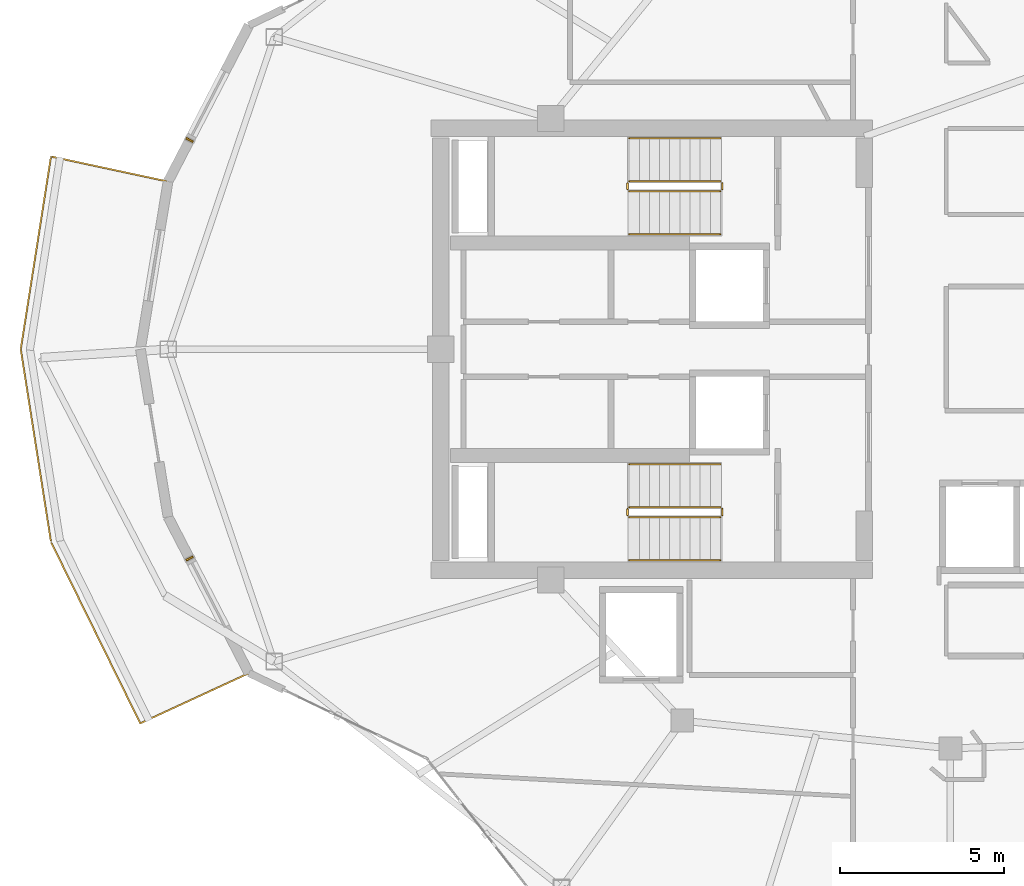
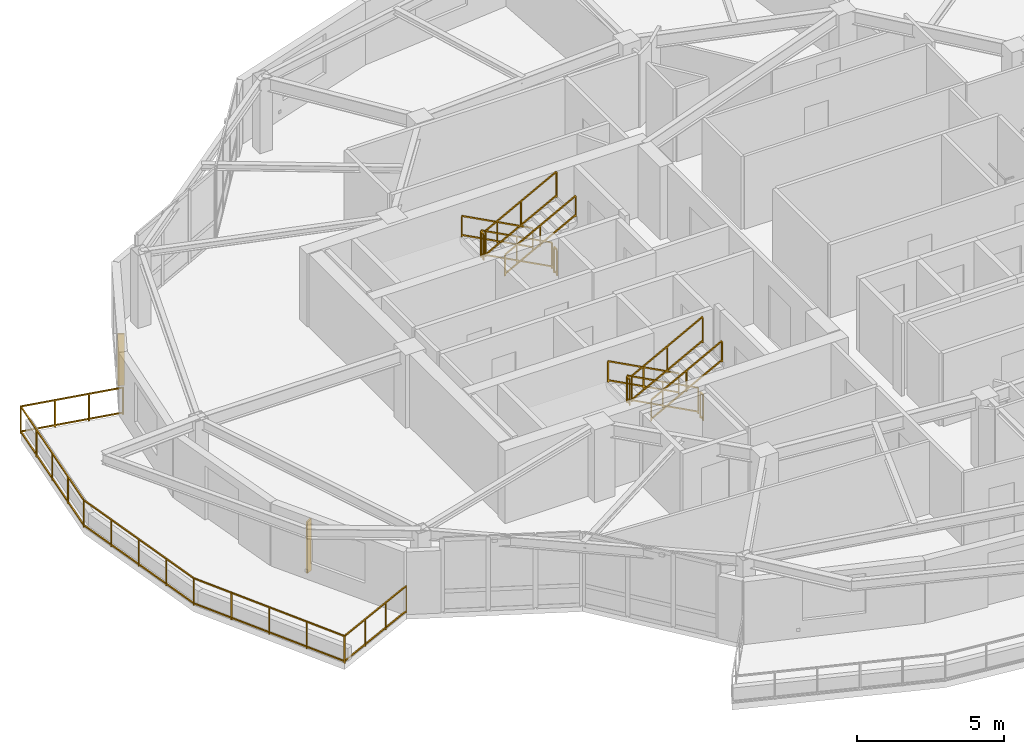
# One storey, part 17 of 19: 13 railings, 2 shading devices.
"""IFC4 building model written with IfcOpenShell, lengths in metres."""

import ifcopenshell
import ifcopenshell.guid

model = None  # the IFC model being written
_history = None  # IfcOwnerHistory: only IFC2X3 demands one
_inside = {}  # id of a spatial element -> (the spatial element, [elements in it])
_under = {}  # id of a project, library or spatial element -> (it, [spatial elements below it])
_declared = {}  # id of a project -> (the project, [libraries it declares])
_typed = {}  # id of a type object -> (the type object, [elements of that type])
_made_of = {}  # id of a material, layer set ... -> (it, [elements and type objects made of it])


def new_model(schema):
    """Start an empty IFC model of exactly this schema.

    Asked for "IFC4X3", IfcOpenShell would pick the latest addendum, in which some entities
    have other attributes; the version numbers below select the first issue.
    IFC2X3 requires an IfcOwnerHistory on every rooted entity: one is made here for all.
    """
    global model, _history
    if schema == "IFC4X3":
        model = ifcopenshell.file(schema_version=(4, 3, 0, 0))
    else:
        model = ifcopenshell.file(schema=schema)
    _inside.clear()
    _under.clear()
    _declared.clear()
    _typed.clear()
    _made_of.clear()
    _history = None
    if model.schema == "IFC2X3":
        org = make("IfcOrganization", Name="unknown")
        user = make(
            "IfcPersonAndOrganization",
            ThePerson=make("IfcPerson", FamilyName="unknown"),
            TheOrganization=org,
        )
        app = make(
            "IfcApplication",
            ApplicationDeveloper=org,
            Version="unknown",
            ApplicationFullName="unknown",
            ApplicationIdentifier="unknown",
        )
        _history = make(
            "IfcOwnerHistory",
            OwningUser=user,
            OwningApplication=app,
            ChangeAction="ADDED",
            CreationDate=0,
        )
    return model


def make(cls, **values):
    """One entity of the class cls with the attributes given. An attribute that is None is left unset."""
    return model.create_entity(
        cls, **{name: value for name, value in values.items() if value is not None}
    )


def rooted(cls, **values):
    """An entity with a GlobalId (a new one), such as an element, a storey or a relation."""
    return make(cls, GlobalId=ifcopenshell.guid.new(), OwnerHistory=_history, **values)


def si_unit(unit_type, name, prefix=None):
    """IfcSIUnit, for example si_unit("LENGTHUNIT", "METRE", prefix="MILLI")."""
    return make("IfcSIUnit", UnitType=unit_type, Prefix=prefix, Name=name)


def assignment(units):
    """IfcUnitAssignment: the units of a project."""
    return None if units is None else make("IfcUnitAssignment", Units=units)


def point(xyz):
    """IfcCartesianPoint."""
    return None if xyz is None else make("IfcCartesianPoint", Coordinates=xyz)


def direction(xyz):
    """IfcDirection."""
    return None if xyz is None else make("IfcDirection", DirectionRatios=xyz)


def frame(location, z_axis=None, x_axis=None):
    """IfcAxis2Placement3D, a coordinate frame: its origin and axes. An axis left out is left unset."""
    return make(
        "IfcAxis2Placement3D",
        Location=point(location),
        Axis=direction(z_axis),
        RefDirection=direction(x_axis),
    )


def frame_2d(location, x_axis=None):
    """IfcAxis2Placement2D, a coordinate frame in the plane: its origin and x axis."""
    return make(
        "IfcAxis2Placement2D", Location=point(location), RefDirection=direction(x_axis)
    )


def origin():
    """The frame at (0, 0, 0) with its axes left unset."""
    return frame((0.0, 0.0, 0.0))


def origin_2d():
    """The frame at (0, 0) in the plane with its x axis left unset."""
    return frame_2d((0.0, 0.0))


def place(relative_to, where):
    """IfcLocalPlacement: puts the frame where relative to a parent placement (None: the world)."""
    return make(
        "IfcLocalPlacement", PlacementRelTo=relative_to, RelativePlacement=where
    )


def context(
    kind, dimensions, precision=None, world=None, true_north=None, identifier=None
):
    """IfcGeometricRepresentationContext, for example the 3D "Model" context."""
    return make(
        "IfcGeometricRepresentationContext",
        ContextIdentifier=identifier,
        ContextType=kind,
        CoordinateSpaceDimension=dimensions,
        Precision=precision,
        WorldCoordinateSystem=world,
        TrueNorth=true_north,
    )


def subcontext(parent, identifier, kind, view, scale=None):
    """IfcGeometricRepresentationSubContext, for example "Body" below "Model"."""
    return make(
        "IfcGeometricRepresentationSubContext",
        ContextIdentifier=identifier,
        ContextType=kind,
        ParentContext=parent,
        TargetScale=scale,
        TargetView=view,
    )


def project(units=None, contexts=None):
    """IfcProject with its units and contexts."""
    return rooted(
        "IfcProject",
        Name="project",
        RepresentationContexts=contexts,
        UnitsInContext=assignment(units),
    )


def spatial(cls, under=None, at=None, **own):
    """A site, building, storey or space (cls), placed at a placement, below another one or the project."""
    s = rooted(cls, ObjectPlacement=at, **own)
    if under is not None:
        _under.setdefault(under.id(), (under, []))[1].append(s)
    return s


def profile(cls, at=None, kind="AREA", **sizes):
    """A parametric profile (cls). Its sizes go by their IFC names, for example OverallWidth=200.0."""
    return make(cls, ProfileType=kind, Position=at, **sizes)


def rectangle(**sizes):
    """IfcRectangleProfileDef."""
    return profile("IfcRectangleProfileDef", **sizes)


def extrude(swept, where, along, depth):
    """IfcExtrudedAreaSolid: the profile swept, set in the frame where, extruded along a direction by depth."""
    return make(
        "IfcExtrudedAreaSolid",
        SweptArea=swept,
        Position=where,
        ExtrudedDirection=direction(along),
        Depth=depth,
    )


def shape(context_of_items, identifier, shape_type, items):
    """IfcShapeRepresentation: the items that make up one representation, for example the "Body"."""
    return make(
        "IfcShapeRepresentation",
        ContextOfItems=context_of_items,
        RepresentationIdentifier=identifier,
        RepresentationType=shape_type,
        Items=items,
    )


def material(Name=None, Category=None):
    """IfcMaterial."""
    return make("IfcMaterial", Name=Name, Category=Category)


def made_of(thing, what):
    """Note that an element or type object is made of a material, layer set ...; save() writes the relation."""
    if what is not None:
        _made_of.setdefault(what.id(), (what, []))[1].append(thing)
    return thing


def type_object(cls, material=None, **own):
    """A type object (cls), such as IfcWallType, which elements share."""
    return made_of(rooted(cls, **own), material)


def element(
    cls,
    number,
    at=None,
    inside=None,
    cuts=None,
    type_object=None,
    material=None,
    context=None,
    identifier="Body",
    shape_type=None,
    held_by="IfcProductDefinitionShape",
    body=None,
    shapes=None,
    **own,
):
    """One element of the class cls, such as IfcWall. Its Tag is "e" and its number.

    at: its placement. inside: the storey or other place that contains it. cuts: it is an
    opening in that element (IfcRelVoidsElement). A single representation is given by context,
    identifier, shape_type and body (its items); several are given by shapes. held_by: the class
    of the entity that holds the representations. save() writes the other relations.
    """
    e = rooted(cls, Tag="e%d" % number, ObjectPlacement=at, **own)
    if body is not None:
        shapes = [shape(context, identifier, shape_type, body)]
    if shapes is not None:
        e.Representation = make(held_by, Representations=shapes)
    if inside is not None:
        _inside.setdefault(inside.id(), (inside, []))[1].append(e)
    if cuts is not None:
        rooted(
            "IfcRelVoidsElement", RelatingBuildingElement=cuts, RelatedOpeningElement=e
        )
    if type_object is not None:
        _typed.setdefault(type_object.id(), (type_object, []))[1].append(e)
    return made_of(e, material)


def aggregate(whole, parts):
    """IfcRelAggregates: a whole, such as a stair, and the parts it consists of."""
    return rooted("IfcRelAggregates", RelatingObject=whole, RelatedObjects=parts)


def save(model, path):
    """Write the relations noted so far, then the file.

    IfcRelAggregates (storeys below a building ...), IfcRelContainedInSpatialStructure (elements
    in a storey), IfcRelDefinesByType, IfcRelAssociatesMaterial and IfcRelDeclares: one each for
    every whole, place, type object, material and project.
    """
    for whole, parts in _under.values():
        aggregate(whole, parts)
    for where, things in _inside.values():
        rooted(
            "IfcRelContainedInSpatialStructure",
            RelatedElements=things,
            RelatingStructure=where,
        )
    for kind, things in _typed.values():
        rooted("IfcRelDefinesByType", RelatedObjects=things, RelatingType=kind)
    for what, things in _made_of.values():
        rooted("IfcRelAssociatesMaterial", RelatedObjects=things, RelatingMaterial=what)
    for by, libraries in _declared.values():
        rooted("IfcRelDeclares", RelatingContext=by, RelatedDefinitions=libraries)
    model.write(path)


model = new_model("IFC4")

# Units and contexts
model_context = context("Model", 3, precision=1e-05, world=origin(), true_north=direction((0.0, 1.0)))
body_context = subcontext(model_context, "Body", "Model", "MODEL_VIEW")
ifc_project = project(units=[si_unit("LENGTHUNIT", "METRE"), si_unit("AREAUNIT", "SQUARE_METRE"), si_unit("VOLUMEUNIT", "CUBIC_METRE"), si_unit("PLANEANGLEUNIT", "RADIAN"), si_unit("MASSUNIT", "GRAM", prefix="KILO")], contexts=[model_context])

# Site, building, storey
site_placement = place(None, origin())
site = spatial("IfcSite", under=ifc_project, at=site_placement, CompositionType="ELEMENT")
building_placement = place(site_placement, origin())
building = spatial("IfcBuilding", under=site, at=building_placement, Name="Kolvaren Gate Tower and Convention Centre", CompositionType="ELEMENT")
storey_placement = place(building_placement, frame((0.0, 0.0, 212.89990234375)))
storey = spatial("IfcBuildingStorey", under=building, at=storey_placement, Name="L56", CompositionType="ELEMENT", Elevation=212.89990234375)

# Railings
ifc_material_1 = material(Name="Brushed Stainless Steel Grade 316L", Category="steel")
railing_type_1 = type_object("IfcRailingType", Name="ARCH-RL-GUARD-1150", PredefinedType="GUARDRAIL", material=ifc_material_1)
railing_1_placement = place(storey_placement, frame((23.10009765625, 32.1298828125, 0.1650390625)))
element("IfcRailing", 1, at=railing_1_placement, inside=storey, type_object=railing_type_1, Name="L56 ST-T1 stair guard 1", PredefinedType="GUARDRAIL", context=body_context, shape_type="SweptSolid", body=[
    extrude(rectangle(XDim=0.048095703125, YDim=0.048095703125, at=origin_2d()), frame((0.0, 0.0, 1.076171875), z_axis=(-0.882735390775, 0.0, 0.469870439454), x_axis=(0.0, -1.0, 0.0)), (0.0, 0.0, 1.0), 3.16064453125),
    extrude(rectangle(XDim=0.048095703125, YDim=0.048095703125, at=origin_2d()), frame((0.0, 0.0, 0.083984375), z_axis=(-0.882735390775, 0.0, 0.469870439454), x_axis=(0.0, -1.0, 0.0)), (0.0, 0.0, 1.0), 3.16064453125),
    extrude(rectangle(XDim=0.0419921875, YDim=0.0419921875, at=origin_2d()), origin(), (0.0, 0.0, 1.0), 1.050048828125),
    extrude(rectangle(XDim=0.0419921875, YDim=0.0419921875, at=origin_2d()), frame((-2.7900390625, 0.0, 1.485107421875)), (0.0, 0.0, 1.0), 1.050048828125),
    extrude(rectangle(XDim=0.0419921875, YDim=0.0419921875, at=origin_2d()), frame((-1.39501953125, 0.0, 0.74267578125)), (0.0, 0.0, 1.0), 1.050048828125),
])
railing_2_placement = place(storey_placement, frame((20.260009765625, 32.080078125, 1.650146484375)))
element("IfcRailing", 2, at=railing_2_placement, inside=storey, type_object=railing_type_1, Name="L56 ST-T1 stair guard 2", PredefinedType="GUARDRAIL", context=body_context, shape_type="SweptSolid", body=[
    extrude(rectangle(XDim=0.048095703125, YDim=0.048095703125, at=origin_2d()), frame((0.0, 0.0, 1.076171875), z_axis=(0.0, -1.0, 0.0), x_axis=(1.0, 0.0, 0.0)), (0.0, 0.0, 1.0), 0.2001953125),
    extrude(rectangle(XDim=0.048095703125, YDim=0.048095703125, at=origin_2d()), frame((0.0, 0.0, 0.083984375), z_axis=(0.0, -1.0, 0.0), x_axis=(1.0, 0.0, 0.0)), (0.0, 0.0, 1.0), 0.2001953125),
    extrude(rectangle(XDim=0.0419921875, YDim=0.0419921875, at=origin_2d()), origin(), (0.0, 0.0, 1.0), 1.050048828125),
    extrude(rectangle(XDim=0.0419921875, YDim=0.0419921875, at=origin_2d()), frame((0.0, -0.2001953125, 0.0)), (0.0, 0.0, 1.0), 1.050048828125),
])
railing_3_placement = place(storey_placement, frame((20.31005859375, 31.830078125, 1.815185546875)))
element("IfcRailing", 3, at=railing_3_placement, inside=storey, type_object=railing_type_1, Name="L56 ST-T1 stair guard 3", PredefinedType="GUARDRAIL", context=body_context, shape_type="SweptSolid", body=[
    extrude(rectangle(XDim=0.048095703125, YDim=0.048095703125, at=origin_2d()), frame((0.0, 0.0, 1.076171875), z_axis=(0.882767428149, 0.0, 0.469810246588), x_axis=(0.0, 1.0, 0.0)), (0.0, 0.0, 1.0), 3.16064453125),
    extrude(rectangle(XDim=0.048095703125, YDim=0.048095703125, at=origin_2d()), frame((0.0, 0.0, 0.083984375), z_axis=(0.882767428149, 0.0, 0.469810246588), x_axis=(0.0, 1.0, 0.0)), (0.0, 0.0, 1.0), 3.16064453125),
    extrude(rectangle(XDim=0.0419921875, YDim=0.0419921875, at=origin_2d()), origin(), (0.0, 0.0, 1.0), 1.050048828125),
    extrude(rectangle(XDim=0.0419921875, YDim=0.0419921875, at=origin_2d()), frame((2.7900390625, 0.0, 1.48486328125)), (0.0, 0.0, 1.0), 1.050048828125),
    extrude(rectangle(XDim=0.0419921875, YDim=0.0419921875, at=origin_2d()), frame((1.39501953125, 0.0, 0.742431640625)), (0.0, 0.0, 1.0), 1.050048828125),
])
railing_4_placement = place(storey_placement, frame((23.14990234375, 32.080078125, 0.0)))
element("IfcRailing", 4, at=railing_4_placement, inside=storey, type_object=railing_type_1, Name="L56 ST-T1 stair guard 4", PredefinedType="GUARDRAIL", context=body_context, shape_type="SweptSolid", body=[
    extrude(rectangle(XDim=0.048095703125, YDim=0.048095703125, at=origin_2d()), frame((0.0, 0.0, 1.076171875), z_axis=(0.0, -1.0, 0.0), x_axis=(1.0, 0.0, 0.0)), (0.0, 0.0, 1.0), 0.2001953125),
    extrude(rectangle(XDim=0.048095703125, YDim=0.048095703125, at=origin_2d()), frame((0.0, 0.0, 0.083984375), z_axis=(0.0, -1.0, 0.0), x_axis=(1.0, 0.0, 0.0)), (0.0, 0.0, 1.0), 0.2001953125),
    extrude(rectangle(XDim=0.0419921875, YDim=0.0419921875, at=origin_2d()), origin(), (0.0, 0.0, 1.0), 1.050048828125),
    extrude(rectangle(XDim=0.0419921875, YDim=0.0419921875, at=origin_2d()), frame((0.0, -0.2001953125, 0.0)), (0.0, 0.0, 1.0), 1.050048828125),
])
railing_5_placement = place(storey_placement, frame((23.10009765625, 22.169921875, 0.1650390625)))
element("IfcRailing", 5, at=railing_5_placement, inside=storey, type_object=railing_type_1, Name="L56 ST-T2 stair guard 1", PredefinedType="GUARDRAIL", context=body_context, shape_type="SweptSolid", body=[
    extrude(rectangle(XDim=0.048095703125, YDim=0.048095703125, at=origin_2d()), frame((0.0, 0.0, 1.076171875), z_axis=(-0.882735390775, 0.0, 0.469870439454), x_axis=(0.0, -1.0, 0.0)), (0.0, 0.0, 1.0), 3.16064453125),
    extrude(rectangle(XDim=0.048095703125, YDim=0.048095703125, at=origin_2d()), frame((0.0, 0.0, 0.083984375), z_axis=(-0.882735390775, 0.0, 0.469870439454), x_axis=(0.0, -1.0, 0.0)), (0.0, 0.0, 1.0), 3.16064453125),
    extrude(rectangle(XDim=0.0419921875, YDim=0.0419921875, at=origin_2d()), origin(), (0.0, 0.0, 1.0), 1.050048828125),
    extrude(rectangle(XDim=0.0419921875, YDim=0.0419921875, at=origin_2d()), frame((-2.7900390625, 0.0, 1.485107421875)), (0.0, 0.0, 1.0), 1.050048828125),
    extrude(rectangle(XDim=0.0419921875, YDim=0.0419921875, at=origin_2d()), frame((-1.39501953125, 0.0, 0.74267578125)), (0.0, 0.0, 1.0), 1.050048828125),
])
railing_6_placement = place(storey_placement, frame((20.260009765625, 22.1201171875, 1.650146484375)))
element("IfcRailing", 6, at=railing_6_placement, inside=storey, type_object=railing_type_1, Name="L56 ST-T2 stair guard 2", PredefinedType="GUARDRAIL", context=body_context, shape_type="SweptSolid", body=[
    extrude(rectangle(XDim=0.048095703125, YDim=0.048095703125, at=origin_2d()), frame((0.0, 0.0, 1.076171875), z_axis=(0.0, -1.0, 0.0), x_axis=(1.0, 0.0, 0.0)), (0.0, 0.0, 1.0), 0.2001953125),
    extrude(rectangle(XDim=0.048095703125, YDim=0.048095703125, at=origin_2d()), frame((0.0, 0.0, 0.083984375), z_axis=(0.0, -1.0, 0.0), x_axis=(1.0, 0.0, 0.0)), (0.0, 0.0, 1.0), 0.2001953125),
    extrude(rectangle(XDim=0.0419921875, YDim=0.0419921875, at=origin_2d()), origin(), (0.0, 0.0, 1.0), 1.050048828125),
    extrude(rectangle(XDim=0.0419921875, YDim=0.0419921875, at=origin_2d()), frame((0.0, -0.2001953125, 0.0)), (0.0, 0.0, 1.0), 1.050048828125),
])
railing_7_placement = place(storey_placement, frame((20.31005859375, 21.8701171875, 1.815185546875)))
element("IfcRailing", 7, at=railing_7_placement, inside=storey, type_object=railing_type_1, Name="L56 ST-T2 stair guard 3", PredefinedType="GUARDRAIL", context=body_context, shape_type="SweptSolid", body=[
    extrude(rectangle(XDim=0.048095703125, YDim=0.048095703125, at=origin_2d()), frame((0.0, 0.0, 1.076171875), z_axis=(0.882767428149, 0.0, 0.469810246588), x_axis=(0.0, 1.0, 0.0)), (0.0, 0.0, 1.0), 3.16064453125),
    extrude(rectangle(XDim=0.048095703125, YDim=0.048095703125, at=origin_2d()), frame((0.0, 0.0, 0.083984375), z_axis=(0.882767428149, 0.0, 0.469810246588), x_axis=(0.0, 1.0, 0.0)), (0.0, 0.0, 1.0), 3.16064453125),
    extrude(rectangle(XDim=0.0419921875, YDim=0.0419921875, at=origin_2d()), origin(), (0.0, 0.0, 1.0), 1.050048828125),
    extrude(rectangle(XDim=0.0419921875, YDim=0.0419921875, at=origin_2d()), frame((2.7900390625, 0.0, 1.48486328125)), (0.0, 0.0, 1.0), 1.050048828125),
    extrude(rectangle(XDim=0.0419921875, YDim=0.0419921875, at=origin_2d()), frame((1.39501953125, 0.0, 0.742431640625)), (0.0, 0.0, 1.0), 1.050048828125),
])
railing_8_placement = place(storey_placement, frame((23.14990234375, 22.1201171875, 0.0)))
element("IfcRailing", 8, at=railing_8_placement, inside=storey, type_object=railing_type_1, Name="L56 ST-T2 stair guard 4", PredefinedType="GUARDRAIL", context=body_context, shape_type="SweptSolid", body=[
    extrude(rectangle(XDim=0.048095703125, YDim=0.048095703125, at=origin_2d()), frame((0.0, 0.0, 1.076171875), z_axis=(0.0, -1.0, 0.0), x_axis=(1.0, 0.0, 0.0)), (0.0, 0.0, 1.0), 0.2001953125),
    extrude(rectangle(XDim=0.048095703125, YDim=0.048095703125, at=origin_2d()), frame((0.0, 0.0, 0.083984375), z_axis=(0.0, -1.0, 0.0), x_axis=(1.0, 0.0, 0.0)), (0.0, 0.0, 1.0), 0.2001953125),
    extrude(rectangle(XDim=0.0419921875, YDim=0.0419921875, at=origin_2d()), origin(), (0.0, 0.0, 1.0), 1.050048828125),
    extrude(rectangle(XDim=0.0419921875, YDim=0.0419921875, at=origin_2d()), frame((0.0, -0.2001953125, 0.0)), (0.0, 0.0, 1.0), 1.050048828125),
])
railing_9_placement = place(storey_placement, frame((6.21826171875, 32.12451171875, 0.0)))
element("IfcRailing", 9, at=railing_9_placement, inside=storey, type_object=railing_type_1, Name="Tower L56 Terrace Perimeter Guardrail GR-2", PredefinedType="GUARDRAIL", context=body_context, shape_type="SweptSolid", body=[
    extrude(rectangle(XDim=0.048095703125, YDim=0.048095703125, at=origin_2d()), frame((-0.02734375, 0.005859375, 1.1259765625), z_axis=(-0.977788745232, 0.209592866525, 0.0), x_axis=(-0.209592866525, -0.977788745232, 0.0)), (0.0, 0.0, 1.0), 3.603759765625),
    extrude(rectangle(XDim=0.048095703125, YDim=0.048095703125, at=origin_2d()), frame((-0.02734375, 0.005859375, 0.083984375), z_axis=(-0.977788745232, 0.209592866525, 0.0), x_axis=(-0.209592866525, -0.977788745232, 0.0)), (0.0, 0.0, 1.0), 3.603759765625),
    extrude(rectangle(XDim=0.048095703125, YDim=0.048095703125, at=origin_2d()), frame((-3.5830078125, 0.739501953125, 1.1259765625), z_axis=(-0.155031225865, -0.987909570258, 0.0), x_axis=(0.987909570258, -0.155031225865, 0.0)), (0.0, 0.0, 1.0), 5.90771484375),
    extrude(rectangle(XDim=0.048095703125, YDim=0.048095703125, at=origin_2d()), frame((-3.5830078125, 0.739501953125, 0.083984375), z_axis=(-0.155031225865, -0.987909570258, 0.0), x_axis=(0.987909570258, -0.155031225865, 0.0)), (0.0, 0.0, 1.0), 5.90771484375),
    extrude(rectangle(XDim=0.048095703125, YDim=0.048095703125, at=origin_2d()), frame((-4.498779296875, -5.152099609375, 1.1259765625), z_axis=(0.155031225865, -0.987909570258, 0.0), x_axis=(0.987909570258, 0.155031225865, 0.0)), (0.0, 0.0, 1.0), 5.90771484375),
    extrude(rectangle(XDim=0.048095703125, YDim=0.048095703125, at=origin_2d()), frame((-4.498779296875, -5.152099609375, 0.083984375), z_axis=(0.155031225865, -0.987909570258, 0.0), x_axis=(0.987909570258, 0.155031225865, 0.0)), (0.0, 0.0, 1.0), 5.90771484375),
    extrude(rectangle(XDim=0.048095703125, YDim=0.048095703125, at=origin_2d()), frame((-3.566162109375, -11.041259765625, 1.1259765625), z_axis=(0.441625304244, -0.897199582396, 0.0), x_axis=(0.897199582396, 0.441625304244, 0.0)), (0.0, 0.0, 1.0), 6.122314453125),
    extrude(rectangle(XDim=0.048095703125, YDim=0.048095703125, at=origin_2d()), frame((-3.566162109375, -11.041259765625, 0.083984375), z_axis=(0.441625304244, -0.897199582396, 0.0), x_axis=(0.897199582396, 0.441625304244, 0.0)), (0.0, 0.0, 1.0), 6.122314453125),
    extrude(rectangle(XDim=0.048095703125, YDim=0.048095703125, at=origin_2d()), frame((-0.82470703125, -16.547607421875, 1.1259765625), z_axis=(0.907820723829, 0.419358478377, 0.0), x_axis=(-0.419358478377, 0.907820723829, 0.0)), (0.0, 0.0, 1.0), 3.60400390625),
    extrude(rectangle(XDim=0.048095703125, YDim=0.048095703125, at=origin_2d()), frame((-0.82470703125, -16.547607421875, 0.083984375), z_axis=(0.907820723829, 0.419358478377, 0.0), x_axis=(-0.419358478377, 0.907820723829, 0.0)), (0.0, 0.0, 1.0), 3.60400390625),
    extrude(rectangle(XDim=0.0419921875, YDim=0.0419921875, at=origin_2d()), origin(), (0.0, 0.0, 1.0), 1.14990234375),
    extrude(rectangle(XDim=0.0419921875, YDim=0.0419921875, at=origin_2d()), frame((-3.57861328125, 0.76708984375, 0.0)), (0.0, 0.0, 1.0), 1.14990234375),
    extrude(rectangle(XDim=0.0419921875, YDim=0.0419921875, at=origin_2d()), frame((-1.19287109375, 0.255615234375, 0.0)), (0.0, 0.0, 1.0), 1.099853515625),
    extrude(rectangle(XDim=0.0419921875, YDim=0.0419921875, at=origin_2d()), frame((-2.3857421875, 0.511474609375, 0.0)), (0.0, 0.0, 1.0), 1.099853515625),
    extrude(rectangle(XDim=0.0419921875, YDim=0.0419921875, at=origin_2d()), frame((-4.503173828125, -5.12451171875, 0.0)), (0.0, 0.0, 1.0), 1.14990234375),
    extrude(rectangle(XDim=0.0419921875, YDim=0.0419921875, at=origin_2d()), frame((-3.809814453125, -0.705810546875, 0.0)), (0.0, 0.0, 1.0), 1.099853515625),
    extrude(rectangle(XDim=0.0419921875, YDim=0.0419921875, at=origin_2d()), frame((-4.041015625, -2.1787109375, 0.0)), (0.0, 0.0, 1.0), 1.099853515625),
    extrude(rectangle(XDim=0.0419921875, YDim=0.0419921875, at=origin_2d()), frame((-4.27197265625, -3.651611328125, 0.0)), (0.0, 0.0, 1.0), 1.099853515625),
    extrude(rectangle(XDim=0.0419921875, YDim=0.0419921875, at=origin_2d()), frame((-3.57861328125, -11.01611328125, 0.0)), (0.0, 0.0, 1.0), 1.14990234375),
    extrude(rectangle(XDim=0.0419921875, YDim=0.0419921875, at=origin_2d()), frame((-4.27197265625, -6.597412109375, 0.0)), (0.0, 0.0, 1.0), 1.099853515625),
    extrude(rectangle(XDim=0.0419921875, YDim=0.0419921875, at=origin_2d()), frame((-4.041015625, -8.0703125, 0.0)), (0.0, 0.0, 1.0), 1.099853515625),
    extrude(rectangle(XDim=0.0419921875, YDim=0.0419921875, at=origin_2d()), frame((-3.809814453125, -9.543212890625, 0.0)), (0.0, 0.0, 1.0), 1.099853515625),
    extrude(rectangle(XDim=0.0419921875, YDim=0.0419921875, at=origin_2d()), frame((-0.85009765625, -16.559326171875, 0.0)), (0.0, 0.0, 1.0), 1.14990234375),
    extrude(rectangle(XDim=0.0419921875, YDim=0.0419921875, at=origin_2d()), frame((-2.896484375, -12.40185546875, 0.0)), (0.0, 0.0, 1.0), 1.099853515625),
    extrude(rectangle(XDim=0.0419921875, YDim=0.0419921875, at=origin_2d()), frame((-2.21435546875, -13.78759765625, 0.0)), (0.0, 0.0, 1.0), 1.099853515625),
    extrude(rectangle(XDim=0.0419921875, YDim=0.0419921875, at=origin_2d()), frame((-1.5322265625, -15.173583984375, 0.0)), (0.0, 0.0, 1.0), 1.099853515625),
    extrude(rectangle(XDim=0.0419921875, YDim=0.0419921875, at=origin_2d()), frame((2.47265625, -15.0244140625, 0.0)), (0.0, 0.0, 1.0), 1.14990234375),
    extrude(rectangle(XDim=0.0419921875, YDim=0.0419921875, at=origin_2d()), frame((0.257568359375, -16.047607421875, 0.0)), (0.0, 0.0, 1.0), 1.099853515625),
    extrude(rectangle(XDim=0.0419921875, YDim=0.0419921875, at=origin_2d()), frame((1.364990234375, -15.5361328125, 0.0)), (0.0, 0.0, 1.0), 1.099853515625),
])
railing_type_2 = type_object("IfcRailingType", Name="ARCH-RL-HANDRAIL-920", PredefinedType="HANDRAIL", material=ifc_material_1)
railing_10_placement = place(storey_placement, frame((23.10009765625, 33.449951171875, 0.1650390625)))
element("IfcRailing", 10, at=railing_10_placement, inside=storey, type_object=railing_type_2, Name="L56 ST-T1 stair handrail 1", PredefinedType="HANDRAIL", context=body_context, shape_type="SweptSolid", body=[
    extrude(rectangle(XDim=0.048095703125, YDim=0.048095703125, at=origin_2d()), frame((0.0, 0.0, 0.8759765625), z_axis=(-0.882735390775, 0.0, 0.469870439454), x_axis=(0.0, -1.0, 0.0)), (0.0, 0.0, 1.0), 3.16064453125),
    extrude(rectangle(XDim=0.048095703125, YDim=0.048095703125, at=origin_2d()), frame((0.0, 0.0, 0.083984375), z_axis=(-0.882735390775, 0.0, 0.469870439454), x_axis=(0.0, -1.0, 0.0)), (0.0, 0.0, 1.0), 3.16064453125),
    extrude(rectangle(XDim=0.0419921875, YDim=0.0419921875, at=origin_2d()), origin(), (0.0, 0.0, 1.0), 0.849853515625),
    extrude(rectangle(XDim=0.0419921875, YDim=0.0419921875, at=origin_2d()), frame((-2.7900390625, 0.0, 1.485107421875)), (0.0, 0.0, 1.0), 0.849853515625),
    extrude(rectangle(XDim=0.0419921875, YDim=0.0419921875, at=origin_2d()), frame((-1.39501953125, 0.0, 0.74267578125)), (0.0, 0.0, 1.0), 0.849853515625),
])
railing_11_placement = place(storey_placement, frame((20.31005859375, 30.510009765625, 1.815185546875)))
element("IfcRailing", 11, at=railing_11_placement, inside=storey, type_object=railing_type_2, Name="L56 ST-T1 stair handrail 2", PredefinedType="HANDRAIL", context=body_context, shape_type="SweptSolid", body=[
    extrude(rectangle(XDim=0.048095703125, YDim=0.048095703125, at=origin_2d()), frame((0.0, 0.0, 0.8759765625), z_axis=(0.882767428149, 0.0, 0.469810246588), x_axis=(0.0, 1.0, 0.0)), (0.0, 0.0, 1.0), 3.16064453125),
    extrude(rectangle(XDim=0.048095703125, YDim=0.048095703125, at=origin_2d()), frame((0.0, 0.0, 0.083984375), z_axis=(0.882767428149, 0.0, 0.469810246588), x_axis=(0.0, 1.0, 0.0)), (0.0, 0.0, 1.0), 3.16064453125),
    extrude(rectangle(XDim=0.0419921875, YDim=0.0419921875, at=origin_2d()), origin(), (0.0, 0.0, 1.0), 0.849853515625),
    extrude(rectangle(XDim=0.0419921875, YDim=0.0419921875, at=origin_2d()), frame((2.7900390625, 0.0, 1.48486328125)), (0.0, 0.0, 1.0), 0.849853515625),
    extrude(rectangle(XDim=0.0419921875, YDim=0.0419921875, at=origin_2d()), frame((1.39501953125, 0.0, 0.742431640625)), (0.0, 0.0, 1.0), 0.849853515625),
])
railing_12_placement = place(storey_placement, frame((23.10009765625, 23.489990234375, 0.1650390625)))
element("IfcRailing", 12, at=railing_12_placement, inside=storey, type_object=railing_type_2, Name="L56 ST-T2 stair handrail 1", PredefinedType="HANDRAIL", context=body_context, shape_type="SweptSolid", body=[
    extrude(rectangle(XDim=0.048095703125, YDim=0.048095703125, at=origin_2d()), frame((0.0, 0.0, 0.8759765625), z_axis=(-0.882735390775, 0.0, 0.469870439454), x_axis=(0.0, -1.0, 0.0)), (0.0, 0.0, 1.0), 3.16064453125),
    extrude(rectangle(XDim=0.048095703125, YDim=0.048095703125, at=origin_2d()), frame((0.0, 0.0, 0.083984375), z_axis=(-0.882735390775, 0.0, 0.469870439454), x_axis=(0.0, -1.0, 0.0)), (0.0, 0.0, 1.0), 3.16064453125),
    extrude(rectangle(XDim=0.0419921875, YDim=0.0419921875, at=origin_2d()), origin(), (0.0, 0.0, 1.0), 0.849853515625),
    extrude(rectangle(XDim=0.0419921875, YDim=0.0419921875, at=origin_2d()), frame((-2.7900390625, 0.0, 1.485107421875)), (0.0, 0.0, 1.0), 0.849853515625),
    extrude(rectangle(XDim=0.0419921875, YDim=0.0419921875, at=origin_2d()), frame((-1.39501953125, 0.0, 0.74267578125)), (0.0, 0.0, 1.0), 0.849853515625),
])
railing_13_placement = place(storey_placement, frame((20.31005859375, 20.550048828125, 1.815185546875)))
element("IfcRailing", 13, at=railing_13_placement, inside=storey, type_object=railing_type_2, Name="L56 ST-T2 stair handrail 2", PredefinedType="HANDRAIL", context=body_context, shape_type="SweptSolid", body=[
    extrude(rectangle(XDim=0.048095703125, YDim=0.048095703125, at=origin_2d()), frame((0.0, 0.0, 0.8759765625), z_axis=(0.882767428149, 0.0, 0.469810246588), x_axis=(0.0, 1.0, 0.0)), (0.0, 0.0, 1.0), 3.16064453125),
    extrude(rectangle(XDim=0.048095703125, YDim=0.048095703125, at=origin_2d()), frame((0.0, 0.0, 0.083984375), z_axis=(0.882767428149, 0.0, 0.469810246588), x_axis=(0.0, 1.0, 0.0)), (0.0, 0.0, 1.0), 3.16064453125),
    extrude(rectangle(XDim=0.0419921875, YDim=0.0419921875, at=origin_2d()), origin(), (0.0, 0.0, 1.0), 0.849853515625),
    extrude(rectangle(XDim=0.0419921875, YDim=0.0419921875, at=origin_2d()), frame((2.7900390625, 0.0, 1.48486328125)), (0.0, 0.0, 1.0), 0.849853515625),
    extrude(rectangle(XDim=0.0419921875, YDim=0.0419921875, at=origin_2d()), frame((1.39501953125, 0.0, 0.742431640625)), (0.0, 0.0, 1.0), 0.849853515625),
])

# Shading devices
ifc_material_2 = material(Name="Kiln-Fired Bogota Terracotta Ceramic Louvre Profile", Category="masonry")
shading_device_type = type_object("IfcShadingDeviceType", Name="ARCH-SHD-FIN-180", PredefinedType="JALOUSIE", material=ifc_material_2)
for number, where, z_axis, x_axis, name in (
    (14, (6.87548828125, 33.3935546875, 0.22021484375), (0.0, 0.0, 1.0), (0.459799959359, 0.888022520758, 0.0), "Ceramic Vertical Brise-Soleil Fin FN-L56-10"),
    (15, (6.87548828125, 20.6064453125, 0.22021484375), (0.0, 0.0, 1.0), (0.459799959359, -0.888022520758, 0.0), "Ceramic Vertical Brise-Soleil Fin FN-L56-13"),
):
    element("IfcShadingDevice", number, at=place(storey_placement, frame(where, z_axis=z_axis, x_axis=x_axis)), inside=storey, type_object=shading_device_type, Name=name, PredefinedType="JALOUSIE", context=body_context, shape_type="SweptSolid", body=[
        extrude(rectangle(XDim=0.06005859375, YDim=0.239990234375, at=origin_2d()), origin(), (0.0, 0.0, 1.0), 2.14990234375),
    ])

save(model, "model.ifc")
